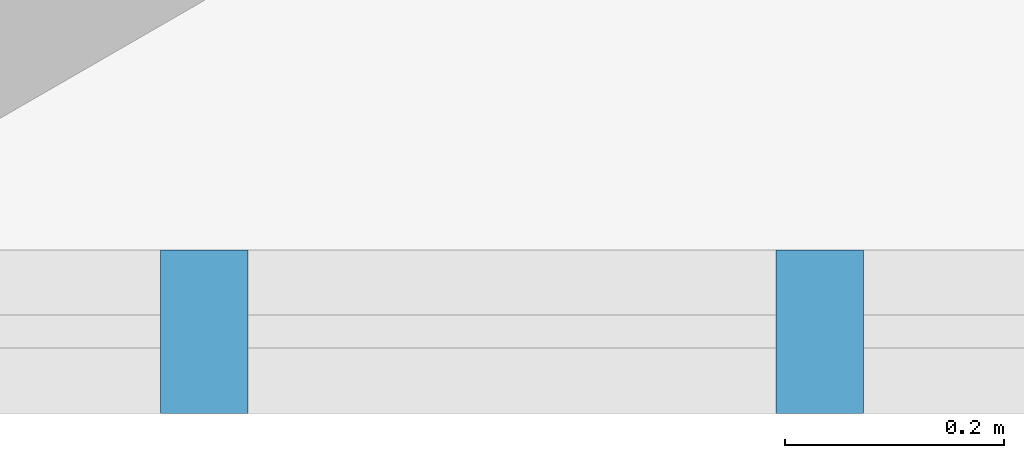
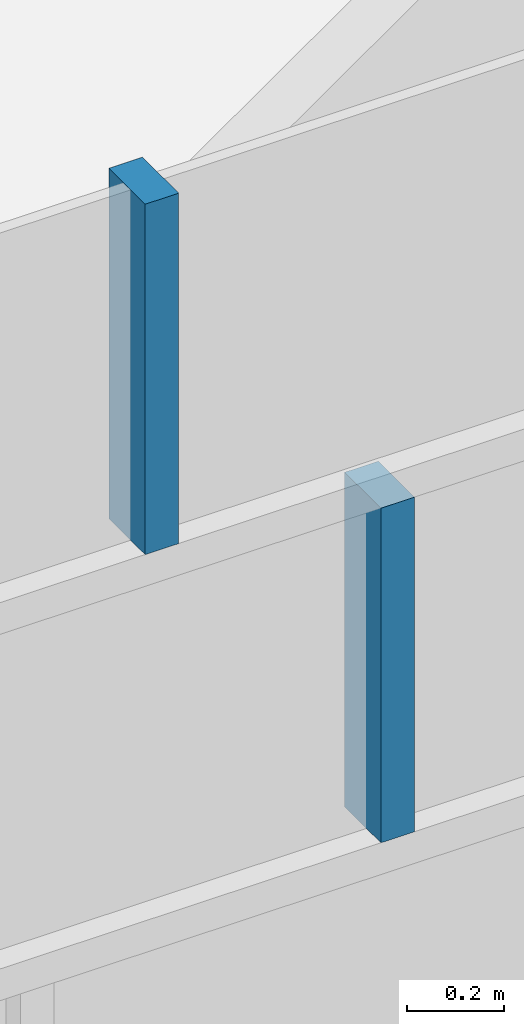
# One storey, part 13 of 26: 2 members, 1 element without a shape of its own.
"""IFC4 building model written with IfcOpenShell, lengths in metres."""

from ifc_helpers import new_model, si_unit, direction, frame, origin, origin_2d, place, context, subcontext, project, spatial, rectangle, extrude, material, layer, layer_set, material_profile, profile_set, type_object, element, aggregate, save


model = new_model("IFC4")

# Units and contexts
model_context = context("Model", 3, precision=1e-05, world=origin(), true_north=direction((0.0, 1.0)))
body_context = subcontext(model_context, "Body", "Model", "MODEL_VIEW")
ifc_project = project(units=[si_unit("LENGTHUNIT", "METRE"), si_unit("AREAUNIT", "SQUARE_METRE"), si_unit("VOLUMEUNIT", "CUBIC_METRE"), si_unit("PLANEANGLEUNIT", "RADIAN"), si_unit("MASSUNIT", "GRAM", prefix="KILO")], contexts=[model_context])

# Site, building, storey
site_placement = place(None, origin())
site = spatial("IfcSite", under=ifc_project, at=site_placement, CompositionType="ELEMENT")
building_placement = place(site_placement, origin())
building = spatial("IfcBuilding", under=site, at=building_placement, Name="Firuza Gate Tower and Library", CompositionType="ELEMENT")
storey_placement = place(building_placement, frame((0.0, 0.0, 288.10009765625)))
storey = spatial("IfcBuildingStorey", under=building, at=storey_placement, Name="L69", CompositionType="ELEMENT", Elevation=288.10009765625)

# Curtain wall, members
ifc_material_1 = material(Name="Aluminium 6063-T6", Category="aluminium")
ifc_layer = layer(ifc_material_1, 0.14990234375)
ifc_layer_set = layer_set([ifc_layer], Name="Unitised curtain wall, residences")
curtain_wall_type = type_object("IfcCurtainWallType", Name="Unitised curtain wall, residences", PredefinedType="NOTDEFINED", material=ifc_layer_set)
curtain_wall_placement = place(storey_placement, origin())
curtain_wall = element("IfcCurtainWall", 1, at=curtain_wall_placement, inside=storey, type_object=curtain_wall_type, Name="CW3 L69 S face", PredefinedType="NOTDEFINED")
ifc_material_2 = material(Name="Aluminium 6063-T6", Category="aluminium")
ifc_material_profile = material_profile(ifc_material_2, rectangle(XDim=0.14990234375, YDim=0.080078125, at=origin_2d()))
ifc_profile_set = profile_set([ifc_material_profile], Name="Aluminium 6063-T6")
member_type = type_object("IfcMemberType", Name="Curtain wall mullion 80x150", PredefinedType="MULLION", material=ifc_profile_set)
member_1_placement = place(storey_placement, frame((54.315185546875, 57.85693359375, 1.489990234375), z_axis=(0.0, 0.0, 1.0), x_axis=(0.0, 1.0, 0.0)))
member_1 = element("IfcMember", 2, at=member_1_placement, type_object=member_type, Name="Mullion", PredefinedType="MULLION", context=body_context, shape_type="SweptSolid", body=[
    extrude(rectangle(XDim=0.14990234375, YDim=0.080078125, at=origin_2d()), origin(), (0.0, 0.0, 1.0), 0.844970703125),
])
member_2_placement = place(storey_placement, frame((53.752197265625, 57.85693359375, 2.414794921875), z_axis=(0.0, 0.0, 1.0), x_axis=(0.0, 1.0, 0.0)))
member_2 = element("IfcMember", 3, at=member_2_placement, type_object=member_type, Name="Mullion", PredefinedType="MULLION", context=body_context, shape_type="SweptSolid", body=[
    extrude(rectangle(XDim=0.14990234375, YDim=0.080078125, at=origin_2d()), origin(), (0.0, 0.0, 1.0), 0.885009765625),
])
aggregate(curtain_wall, [member_1, member_2])

save(model, "model.ifc")
